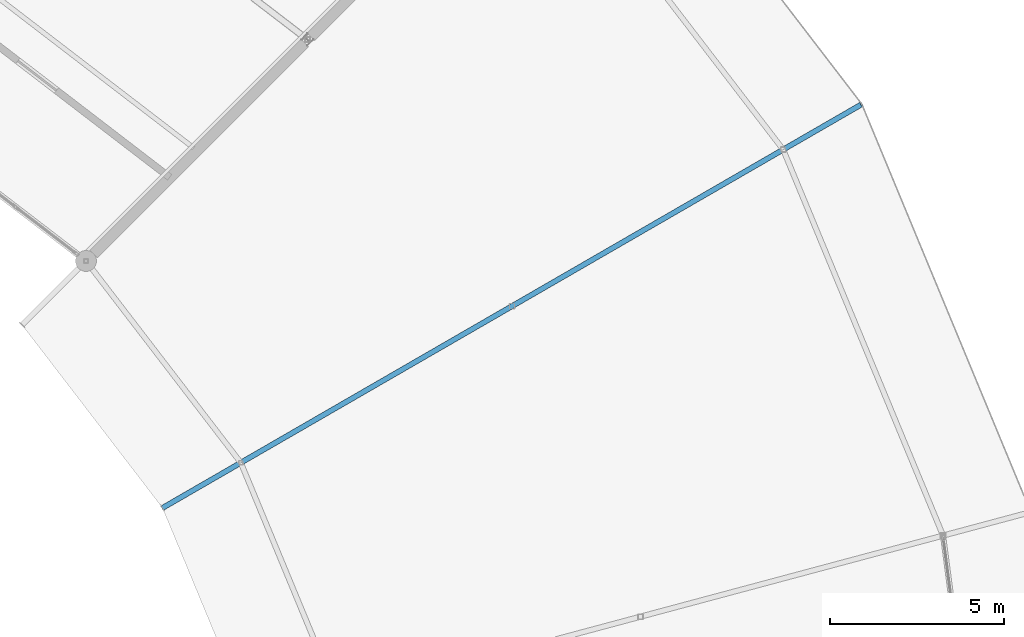
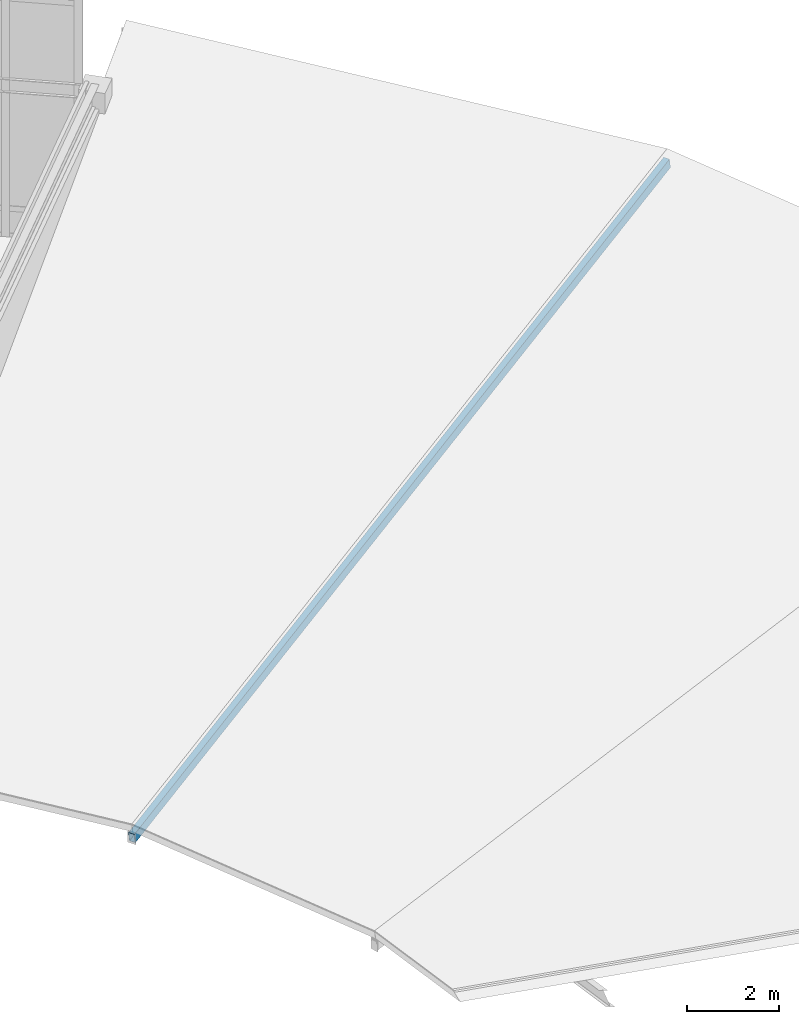
# One storey, part 119 of 200: 1 member.
"""IFC4 building model written with IfcOpenShell, lengths in metres."""

from ifc_helpers import new_model, si_unit, direction, frame, origin, origin_2d, place, context, subcontext, project, spatial, hollow_rectangle, extrude, material, material_profile, profile_set, type_object, element, save


model = new_model("IFC4")

# Units and contexts
model_context = context("Model", 3, precision=1e-05, world=origin(), true_north=direction((0.0, 1.0)))
body_context = subcontext(model_context, "Body", "Model", "MODEL_VIEW")
ifc_project = project(units=[si_unit("LENGTHUNIT", "METRE"), si_unit("AREAUNIT", "SQUARE_METRE"), si_unit("VOLUMEUNIT", "CUBIC_METRE"), si_unit("PLANEANGLEUNIT", "RADIAN"), si_unit("MASSUNIT", "GRAM", prefix="KILO")], contexts=[model_context])

# Site, building, storey
site_placement = place(None, origin())
site = spatial("IfcSite", under=ifc_project, at=site_placement, CompositionType="ELEMENT")
building_placement = place(site_placement, origin())
building = spatial("IfcBuilding", under=site, at=building_placement, Name="Vondelvale Polytechnic", CompositionType="ELEMENT")
storey_placement = place(building_placement, frame((0.0, 0.0, 13.800048828125)))
storey = spatial("IfcBuildingStorey", under=building, at=storey_placement, Name="L03", CompositionType="ELEMENT", Elevation=13.800048828125)

# Member
ifc_material = material(Name="Steel C350L0 (fy = 350 MPa)", Category="steel")
ifc_material_profile = material_profile(ifc_material, hollow_rectangle(XDim=0.14990234375, YDim=0.25, WallThickness=0.006103515625, at=origin_2d()), Name="250x150x6.0RHS")
ifc_profile_set = profile_set([ifc_material_profile], Name="Steel C350L0 (fy = 350 MPa)")
member_type = type_object("IfcMemberType", Name="RAFTER RHS250", PredefinedType="RAFTER", material=ifc_profile_set)
member_placement = place(storey_placement, frame((144.0888671875, 96.300048828125, 3.765625), z_axis=(-0.85463514825, -0.493427802493, -0.161640858395), x_axis=(0.500003016864, -0.86602366199, 0.0)))
element("IfcMember", 1, at=member_placement, inside=storey, type_object=member_type, Name="Ring inward-sloping rafter 02", PredefinedType="RAFTER", context=body_context, shape_type="SweptSolid", body=[
    extrude(hollow_rectangle(XDim=0.14990234375, YDim=0.25, WallThickness=0.006103515625, at=origin_2d()), origin(), (0.0, 0.0, 1.0), 23.50927734375),
])

save(model, "model.ifc")
